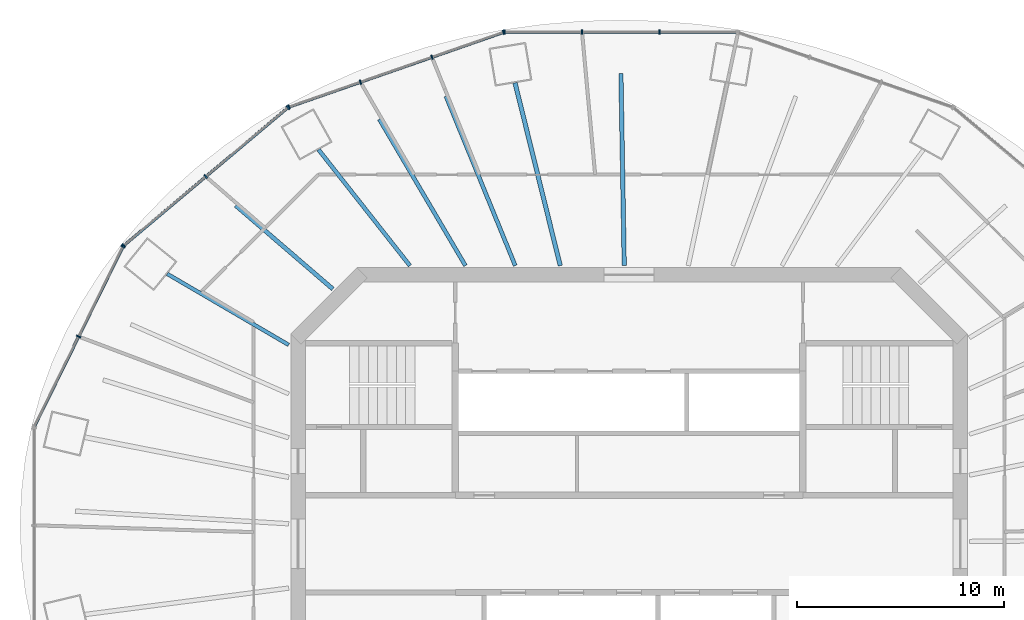
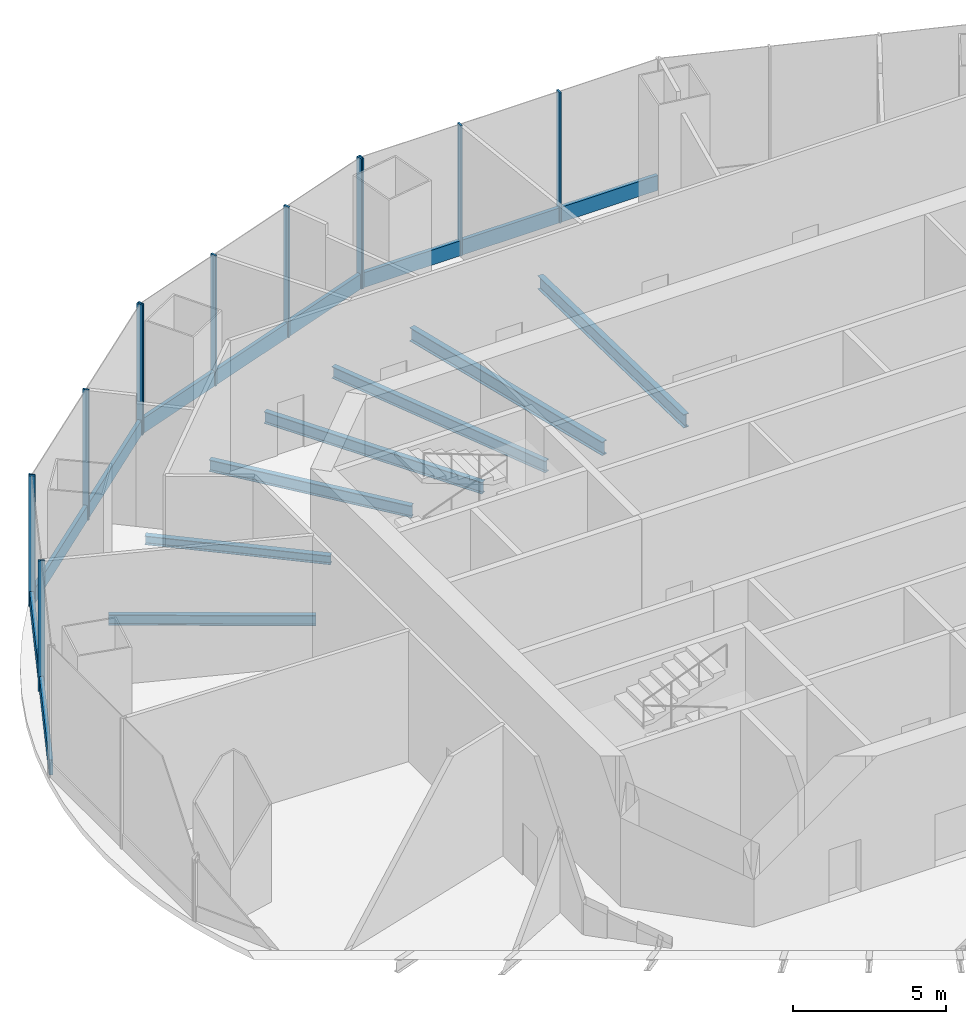
# One storey, part 5 of 12: 16 members, 7 beams, 4 elements without a shape of their own.
"""IFC4 building model written with IfcOpenShell, lengths in metres."""

import ifcopenshell
import ifcopenshell.guid

model = None  # the IFC model being written
_history = None  # IfcOwnerHistory: only IFC2X3 demands one
_inside = {}  # id of a spatial element -> (the spatial element, [elements in it])
_under = {}  # id of a project, library or spatial element -> (it, [spatial elements below it])
_declared = {}  # id of a project -> (the project, [libraries it declares])
_typed = {}  # id of a type object -> (the type object, [elements of that type])
_made_of = {}  # id of a material, layer set ... -> (it, [elements and type objects made of it])


def new_model(schema):
    """Start an empty IFC model of exactly this schema.

    Asked for "IFC4X3", IfcOpenShell would pick the latest addendum, in which some entities
    have other attributes; the version numbers below select the first issue.
    IFC2X3 requires an IfcOwnerHistory on every rooted entity: one is made here for all.
    """
    global model, _history
    if schema == "IFC4X3":
        model = ifcopenshell.file(schema_version=(4, 3, 0, 0))
    else:
        model = ifcopenshell.file(schema=schema)
    _inside.clear()
    _under.clear()
    _declared.clear()
    _typed.clear()
    _made_of.clear()
    _history = None
    if model.schema == "IFC2X3":
        org = make("IfcOrganization", Name="unknown")
        user = make(
            "IfcPersonAndOrganization",
            ThePerson=make("IfcPerson", FamilyName="unknown"),
            TheOrganization=org,
        )
        app = make(
            "IfcApplication",
            ApplicationDeveloper=org,
            Version="unknown",
            ApplicationFullName="unknown",
            ApplicationIdentifier="unknown",
        )
        _history = make(
            "IfcOwnerHistory",
            OwningUser=user,
            OwningApplication=app,
            ChangeAction="ADDED",
            CreationDate=0,
        )
    return model


def make(cls, **values):
    """One entity of the class cls with the attributes given. An attribute that is None is left unset."""
    return model.create_entity(
        cls, **{name: value for name, value in values.items() if value is not None}
    )


def rooted(cls, **values):
    """An entity with a GlobalId (a new one), such as an element, a storey or a relation."""
    return make(cls, GlobalId=ifcopenshell.guid.new(), OwnerHistory=_history, **values)


def si_unit(unit_type, name, prefix=None):
    """IfcSIUnit, for example si_unit("LENGTHUNIT", "METRE", prefix="MILLI")."""
    return make("IfcSIUnit", UnitType=unit_type, Prefix=prefix, Name=name)


def assignment(units):
    """IfcUnitAssignment: the units of a project."""
    return None if units is None else make("IfcUnitAssignment", Units=units)


def point(xyz):
    """IfcCartesianPoint."""
    return None if xyz is None else make("IfcCartesianPoint", Coordinates=xyz)


def direction(xyz):
    """IfcDirection."""
    return None if xyz is None else make("IfcDirection", DirectionRatios=xyz)


def frame(location, z_axis=None, x_axis=None):
    """IfcAxis2Placement3D, a coordinate frame: its origin and axes. An axis left out is left unset."""
    return make(
        "IfcAxis2Placement3D",
        Location=point(location),
        Axis=direction(z_axis),
        RefDirection=direction(x_axis),
    )


def frame_2d(location, x_axis=None):
    """IfcAxis2Placement2D, a coordinate frame in the plane: its origin and x axis."""
    return make(
        "IfcAxis2Placement2D", Location=point(location), RefDirection=direction(x_axis)
    )


def origin():
    """The frame at (0, 0, 0) with its axes left unset."""
    return frame((0.0, 0.0, 0.0))


def origin_2d():
    """The frame at (0, 0) in the plane with its x axis left unset."""
    return frame_2d((0.0, 0.0))


def place(relative_to, where):
    """IfcLocalPlacement: puts the frame where relative to a parent placement (None: the world)."""
    return make(
        "IfcLocalPlacement", PlacementRelTo=relative_to, RelativePlacement=where
    )


def context(
    kind, dimensions, precision=None, world=None, true_north=None, identifier=None
):
    """IfcGeometricRepresentationContext, for example the 3D "Model" context."""
    return make(
        "IfcGeometricRepresentationContext",
        ContextIdentifier=identifier,
        ContextType=kind,
        CoordinateSpaceDimension=dimensions,
        Precision=precision,
        WorldCoordinateSystem=world,
        TrueNorth=true_north,
    )


def subcontext(parent, identifier, kind, view, scale=None):
    """IfcGeometricRepresentationSubContext, for example "Body" below "Model"."""
    return make(
        "IfcGeometricRepresentationSubContext",
        ContextIdentifier=identifier,
        ContextType=kind,
        ParentContext=parent,
        TargetScale=scale,
        TargetView=view,
    )


def project(units=None, contexts=None):
    """IfcProject with its units and contexts."""
    return rooted(
        "IfcProject",
        Name="project",
        RepresentationContexts=contexts,
        UnitsInContext=assignment(units),
    )


def spatial(cls, under=None, at=None, **own):
    """A site, building, storey or space (cls), placed at a placement, below another one or the project."""
    s = rooted(cls, ObjectPlacement=at, **own)
    if under is not None:
        _under.setdefault(under.id(), (under, []))[1].append(s)
    return s


def profile(cls, at=None, kind="AREA", **sizes):
    """A parametric profile (cls). Its sizes go by their IFC names, for example OverallWidth=200.0."""
    return make(cls, ProfileType=kind, Position=at, **sizes)


def rectangle(**sizes):
    """IfcRectangleProfileDef."""
    return profile("IfcRectangleProfileDef", **sizes)


def i_section(**sizes):
    """IfcIShapeProfileDef."""
    return profile("IfcIShapeProfileDef", **sizes)


def extrude(swept, where, along, depth):
    """IfcExtrudedAreaSolid: the profile swept, set in the frame where, extruded along a direction by depth."""
    return make(
        "IfcExtrudedAreaSolid",
        SweptArea=swept,
        Position=where,
        ExtrudedDirection=direction(along),
        Depth=depth,
    )


def shape(context_of_items, identifier, shape_type, items):
    """IfcShapeRepresentation: the items that make up one representation, for example the "Body"."""
    return make(
        "IfcShapeRepresentation",
        ContextOfItems=context_of_items,
        RepresentationIdentifier=identifier,
        RepresentationType=shape_type,
        Items=items,
    )


def material(Name=None, Category=None):
    """IfcMaterial."""
    return make("IfcMaterial", Name=Name, Category=Category)


def material_profile(
    of_material, cross_section, Name=None, Category=None, Priority=None
):
    """IfcMaterialProfile: a cross section and its material."""
    return make(
        "IfcMaterialProfile",
        Name=Name,
        Material=of_material,
        Profile=cross_section,
        Priority=Priority,
        Category=Category,
    )


def profile_set(profiles, Name=None, composite=None):
    """IfcMaterialProfileSet."""
    return make(
        "IfcMaterialProfileSet",
        Name=Name,
        MaterialProfiles=profiles,
        CompositeProfile=composite,
    )


def made_of(thing, what):
    """Note that an element or type object is made of a material, layer set ...; save() writes the relation."""
    if what is not None:
        _made_of.setdefault(what.id(), (what, []))[1].append(thing)
    return thing


def type_object(cls, material=None, **own):
    """A type object (cls), such as IfcWallType, which elements share."""
    return made_of(rooted(cls, **own), material)


def element(
    cls,
    number,
    at=None,
    inside=None,
    cuts=None,
    type_object=None,
    material=None,
    context=None,
    identifier="Body",
    shape_type=None,
    held_by="IfcProductDefinitionShape",
    body=None,
    shapes=None,
    **own,
):
    """One element of the class cls, such as IfcWall. Its Tag is "e" and its number.

    at: its placement. inside: the storey or other place that contains it. cuts: it is an
    opening in that element (IfcRelVoidsElement). A single representation is given by context,
    identifier, shape_type and body (its items); several are given by shapes. held_by: the class
    of the entity that holds the representations. save() writes the other relations.
    """
    e = rooted(cls, Tag="e%d" % number, ObjectPlacement=at, **own)
    if body is not None:
        shapes = [shape(context, identifier, shape_type, body)]
    if shapes is not None:
        e.Representation = make(held_by, Representations=shapes)
    if inside is not None:
        _inside.setdefault(inside.id(), (inside, []))[1].append(e)
    if cuts is not None:
        rooted(
            "IfcRelVoidsElement", RelatingBuildingElement=cuts, RelatedOpeningElement=e
        )
    if type_object is not None:
        _typed.setdefault(type_object.id(), (type_object, []))[1].append(e)
    return made_of(e, material)


def aggregate(whole, parts):
    """IfcRelAggregates: a whole, such as a stair, and the parts it consists of."""
    return rooted("IfcRelAggregates", RelatingObject=whole, RelatedObjects=parts)


def save(model, path):
    """Write the relations noted so far, then the file.

    IfcRelAggregates (storeys below a building ...), IfcRelContainedInSpatialStructure (elements
    in a storey), IfcRelDefinesByType, IfcRelAssociatesMaterial and IfcRelDeclares: one each for
    every whole, place, type object, material and project.
    """
    for whole, parts in _under.values():
        aggregate(whole, parts)
    for where, things in _inside.values():
        rooted(
            "IfcRelContainedInSpatialStructure",
            RelatedElements=things,
            RelatingStructure=where,
        )
    for kind, things in _typed.values():
        rooted("IfcRelDefinesByType", RelatedObjects=things, RelatingType=kind)
    for what, things in _made_of.values():
        rooted("IfcRelAssociatesMaterial", RelatedObjects=things, RelatingMaterial=what)
    for by, libraries in _declared.values():
        rooted("IfcRelDeclares", RelatingContext=by, RelatedDefinitions=libraries)
    model.write(path)


model = new_model("IFC4")

# Units and contexts
model_context = context("Model", 3, precision=1e-05, world=origin(), true_north=direction((0.0, 1.0)))
body_context = subcontext(model_context, "Body", "Model", "MODEL_VIEW")
ifc_project = project(units=[si_unit("LENGTHUNIT", "METRE"), si_unit("AREAUNIT", "SQUARE_METRE"), si_unit("VOLUMEUNIT", "CUBIC_METRE"), si_unit("PLANEANGLEUNIT", "RADIAN"), si_unit("MASSUNIT", "GRAM", prefix="KILO")], contexts=[model_context])

# Site, building, storey
site_placement = place(None, origin())
site = spatial("IfcSite", under=ifc_project, at=site_placement, CompositionType="ELEMENT")
building_placement = place(site_placement, origin())
building = spatial("IfcBuilding", under=site, at=building_placement, Name="Marenthal Gate Tower", CompositionType="ELEMENT")
storey_placement = place(building_placement, frame((0.0, 0.0, 279.10009765625)))
storey = spatial("IfcBuildingStorey", under=building, at=storey_placement, Name="L62", CompositionType="ELEMENT", Elevation=279.10009765625)

# Curtain wall, members
ifc_material_1 = material(Name="Aluminium and glass", Category="aluminium")
curtain_wall_type = type_object("IfcCurtainWallType", Name="Curtain wall sky lobby", PredefinedType="NOTDEFINED", material=ifc_material_1)
curtain_wall_1_placement = place(storey_placement, origin())
curtain_wall_1 = element("IfcCurtainWall", 1, at=curtain_wall_1_placement, inside=storey, type_object=curtain_wall_type, Name="Curtain wall L62 bay 4", PredefinedType="NOTDEFINED")
ifc_material_2 = material(Name="Aluminium", Category="aluminium")
ifc_material_profile_1 = material_profile(ifc_material_2, rectangle(XDim=0.219970703125, YDim=0.070068359375, at=origin_2d()), Name="70x220 aluminium mullion")
ifc_profile_set_1 = profile_set([ifc_material_profile_1], Name="Aluminium")
member_type_1 = type_object("IfcMemberType", Name="Mullion 70x220 sky lobby", PredefinedType="MULLION", material=ifc_profile_set_1)
member_1_placement = place(storey_placement, frame((1.470458984375, 24.736083984375, 0.0), z_axis=(0.0, 0.0, 1.0), x_axis=(0.0, -1.0, 0.0)))
member_1 = element("IfcMember", 2, at=member_1_placement, type_object=member_type_1, Name="Mullion L62 bay 4.2", PredefinedType="MULLION", context=body_context, shape_type="SweptSolid", body=[
    extrude(rectangle(XDim=0.219970703125, YDim=0.070068359375, at=origin_2d()), origin(), (0.0, 0.0, 1.0), 5.219970703125),
])
member_2_placement = place(storey_placement, frame((-2.2705078125, 24.736083984375, 0.0), z_axis=(0.0, 0.0, 1.0), x_axis=(0.0, -1.0, 0.0)))
member_2 = element("IfcMember", 3, at=member_2_placement, type_object=member_type_1, Name="Mullion L62 bay 4.3", PredefinedType="MULLION", context=body_context, shape_type="SweptSolid", body=[
    extrude(rectangle(XDim=0.219970703125, YDim=0.070068359375, at=origin_2d()), origin(), (0.0, 0.0, 1.0), 5.219970703125),
])
member_3_placement = place(storey_placement, frame((-6.01171875, 24.736083984375, 0.0), z_axis=(0.0, 0.0, 1.0), x_axis=(0.0, -1.0, 0.0)))
member_3 = element("IfcMember", 4, at=member_3_placement, type_object=member_type_1, Name="Mullion L62 bay 4.4", PredefinedType="MULLION", context=body_context, shape_type="SweptSolid", body=[
    extrude(rectangle(XDim=0.219970703125, YDim=0.070068359375, at=origin_2d()), origin(), (0.0, 0.0, 1.0), 5.219970703125),
])

curtain_wall_2_placement = place(storey_placement, origin())
curtain_wall_2 = element("IfcCurtainWall", 5, at=curtain_wall_2_placement, inside=storey, type_object=curtain_wall_type, Name="Curtain wall L62 bay 5", PredefinedType="NOTDEFINED")
member_4_placement = place(storey_placement, frame((-6.06982421875, 24.72607421875, 0.0), z_axis=(0.0, 0.0, 1.0), x_axis=(0.328756746245, -0.944414634469, 0.0)))
member_4 = element("IfcMember", 6, at=member_4_placement, type_object=member_type_1, Name="Mullion L62 bay 5.1", PredefinedType="MULLION", context=body_context, shape_type="SweptSolid", body=[
    extrude(rectangle(XDim=0.219970703125, YDim=0.070068359375, at=origin_2d()), origin(), (0.0, 0.0, 1.0), 5.219970703125),
])
member_5_placement = place(storey_placement, frame((-9.52587890625, 23.523193359375, 0.0), z_axis=(0.0, 0.0, 1.0), x_axis=(0.328756746245, -0.944414634469, 0.0)))
member_5 = element("IfcMember", 7, at=member_5_placement, type_object=member_type_1, Name="Mullion L62 bay 5.2", PredefinedType="MULLION", context=body_context, shape_type="SweptSolid", body=[
    extrude(rectangle(XDim=0.219970703125, YDim=0.070068359375, at=origin_2d()), origin(), (0.0, 0.0, 1.0), 5.219970703125),
])
member_6_placement = place(storey_placement, frame((-12.981689453125, 22.320068359375, 0.0), z_axis=(0.0, 0.0, 1.0), x_axis=(0.328756746245, -0.944414634469, 0.0)))
member_6 = element("IfcMember", 8, at=member_6_placement, type_object=member_type_1, Name="Mullion L62 bay 5.3", PredefinedType="MULLION", context=body_context, shape_type="SweptSolid", body=[
    extrude(rectangle(XDim=0.219970703125, YDim=0.070068359375, at=origin_2d()), origin(), (0.0, 0.0, 1.0), 5.219970703125),
])
member_7_placement = place(storey_placement, frame((-16.4375, 21.1171875, 0.0), z_axis=(0.0, 0.0, 1.0), x_axis=(0.328756746245, -0.944414634469, 0.0)))
member_7 = element("IfcMember", 9, at=member_7_placement, type_object=member_type_1, Name="Mullion L62 bay 5.4", PredefinedType="MULLION", context=body_context, shape_type="SweptSolid", body=[
    extrude(rectangle(XDim=0.219970703125, YDim=0.070068359375, at=origin_2d()), origin(), (0.0, 0.0, 1.0), 5.219970703125),
])

curtain_wall_3_placement = place(storey_placement, origin())
curtain_wall_3 = element("IfcCurtainWall", 10, at=curtain_wall_3_placement, inside=storey, type_object=curtain_wall_type, Name="Curtain wall L62 bay 6", PredefinedType="NOTDEFINED")
member_8_placement = place(storey_placement, frame((-16.489013671875, 21.087890625, 0.0), z_axis=(0.0, 0.0, 1.0), x_axis=(0.643380191367, -0.76554681722, 0.0)))
member_8 = element("IfcMember", 11, at=member_8_placement, type_object=member_type_1, Name="Mullion L62 bay 6.1", PredefinedType="MULLION", context=body_context, shape_type="SweptSolid", body=[
    extrude(rectangle(XDim=0.219970703125, YDim=0.070068359375, at=origin_2d()), origin(), (0.0, 0.0, 1.0), 5.219970703125),
])
member_9_placement = place(storey_placement, frame((-20.455078125, 17.754638671875, 0.0), z_axis=(0.0, 0.0, 1.0), x_axis=(0.643380191367, -0.76554681722, 0.0)))
member_9 = element("IfcMember", 12, at=member_9_placement, type_object=member_type_1, Name="Mullion L62 bay 6.2", PredefinedType="MULLION", context=body_context, shape_type="SweptSolid", body=[
    extrude(rectangle(XDim=0.219970703125, YDim=0.070068359375, at=origin_2d()), origin(), (0.0, 0.0, 1.0), 5.219970703125),
])
member_10_placement = place(storey_placement, frame((-24.42138671875, 14.42138671875, 0.0), z_axis=(0.0, 0.0, 1.0), x_axis=(0.643380191367, -0.76554681722, 0.0)))
member_10 = element("IfcMember", 13, at=member_10_placement, type_object=member_type_1, Name="Mullion L62 bay 6.3", PredefinedType="MULLION", context=body_context, shape_type="SweptSolid", body=[
    extrude(rectangle(XDim=0.219970703125, YDim=0.070068359375, at=origin_2d()), origin(), (0.0, 0.0, 1.0), 5.219970703125),
])

curtain_wall_4_placement = place(storey_placement, origin())
curtain_wall_4 = element("IfcCurtainWall", 14, at=curtain_wall_4_placement, inside=storey, type_object=curtain_wall_type, Name="Curtain wall L62 bay 7", PredefinedType="NOTDEFINED")
member_11_placement = place(storey_placement, frame((-24.457763671875, 14.375, 0.0), z_axis=(0.0, 0.0, 1.0), x_axis=(0.89697015821, -0.442091093871, 0.0)))
member_11 = element("IfcMember", 15, at=member_11_placement, type_object=member_type_1, Name="Mullion L62 bay 7.1", PredefinedType="MULLION", context=body_context, shape_type="SweptSolid", body=[
    extrude(rectangle(XDim=0.219970703125, YDim=0.070068359375, at=origin_2d()), origin(), (0.0, 0.0, 1.0), 5.219970703125),
])
member_12_placement = place(storey_placement, frame((-26.603271484375, 10.021728515625, 0.0), z_axis=(0.0, 0.0, 1.0), x_axis=(0.89697015821, -0.442091093871, 0.0)))
member_12 = element("IfcMember", 16, at=member_12_placement, type_object=member_type_1, Name="Mullion L62 bay 7.2", PredefinedType="MULLION", context=body_context, shape_type="SweptSolid", body=[
    extrude(rectangle(XDim=0.219970703125, YDim=0.070068359375, at=origin_2d()), origin(), (0.0, 0.0, 1.0), 5.219970703125),
])

# Member
ifc_material_3 = material(Name="Aluminium", Category="aluminium")
ifc_material_profile_2 = material_profile(ifc_material_3, rectangle(XDim=0.139892578125, YDim=0.60009765625, at=origin_2d()), Name="140x600 aluminium transom")
ifc_profile_set_2 = profile_set([ifc_material_profile_2], Name="Aluminium")
member_type_2 = type_object("IfcMemberType", Name="Transom 140x600 sky lobby", PredefinedType="USERDEFINED", material=ifc_profile_set_2)
member_13_placement = place(storey_placement, frame((5.176513671875, 24.736083984375, 0.2998046875), z_axis=(-1.0, 0.0, 0.0), x_axis=(0.0, -1.0, 0.0)))
member_13 = element("IfcMember", 17, at=member_13_placement, type_object=member_type_2, Name="Transom L62 bay 4", ObjectType="TRANSOM", PredefinedType="USERDEFINED", context=body_context, shape_type="SweptSolid", body=[
    extrude(rectangle(XDim=0.139892578125, YDim=0.60009765625, at=origin_2d()), origin(), (0.0, 0.0, 1.0), 11.153076171875),
])

aggregate(curtain_wall_1, [member_1, member_2, member_3, member_13])

member_14_placement = place(storey_placement, frame((-6.10302734375, 24.714599609375, 0.2998046875), z_axis=(-0.944417053534, -0.32874979695, 0.0), x_axis=(0.32874979695, -0.944417053534, 0.0)))
member_14 = element("IfcMember", 18, at=member_14_placement, type_object=member_type_2, Name="Transom L62 bay 5", ObjectType="TRANSOM", PredefinedType="USERDEFINED", context=body_context, shape_type="SweptSolid", body=[
    extrude(rectangle(XDim=0.139892578125, YDim=0.60009765625, at=origin_2d()), origin(), (0.0, 0.0, 1.0), 10.90771484375),
])

aggregate(curtain_wall_2, [member_4, member_5, member_6, member_7, member_14])

member_15_placement = place(storey_placement, frame((-16.515869140625, 21.0654296875, 0.2998046875), z_axis=(-0.765537070273, -0.643391788911, 0.0), x_axis=(0.643391788911, -0.765537070273, 0.0)))
member_15 = element("IfcMember", 19, at=member_15_placement, type_object=member_type_2, Name="Transom L62 bay 6", ObjectType="TRANSOM", PredefinedType="USERDEFINED", context=body_context, shape_type="SweptSolid", body=[
    extrude(rectangle(XDim=0.139892578125, YDim=0.60009765625, at=origin_2d()), origin(), (0.0, 0.0, 1.0), 10.291748046875),
])

aggregate(curtain_wall_3, [member_8, member_9, member_10, member_15])

member_16_placement = place(storey_placement, frame((-24.47314453125, 14.34375, 0.2998046875), z_axis=(-0.442099023513, -0.896966249872, 0.0), x_axis=(0.896966249872, -0.442099023513, 0.0)))
member_16 = element("IfcMember", 20, at=member_16_placement, type_object=member_type_2, Name="Transom L62 bay 7", ObjectType="TRANSOM", PredefinedType="USERDEFINED", context=body_context, shape_type="SweptSolid", body=[
    extrude(rectangle(XDim=0.139892578125, YDim=0.60009765625, at=origin_2d()), origin(), (0.0, 0.0, 1.0), 9.636962890625),
])

aggregate(curtain_wall_4, [member_11, member_12, member_16])

# Beams
ifc_material_4 = material(Name="Steel S355", Category="steel")
ifc_material_profile_3 = material_profile(ifc_material_4, i_section(OverallWidth=0.205078125, OverallDepth=0.35302734375, WebThickness=0.009521484375, FlangeThickness=0.016845703125, FilletRadius=0.014892578125, at=origin_2d()), Name="W360X79")
ifc_profile_set_3 = profile_set([ifc_material_profile_3], Name="Steel S355")
beam_type_1 = type_object("IfcBeamType", Name="W360X79 beam", PredefinedType="BEAM", material=ifc_profile_set_3)
beam_1_placement = place(storey_placement, frame((-19.013671875, 16.361083984375, -0.426513671875), z_axis=(0.758003625255, -0.652250338521, 0.0), x_axis=(0.652250338521, 0.758003625255, 0.0)))
element("IfcBeam", 21, at=beam_1_placement, inside=storey, type_object=beam_type_1, Name="BM-L62-25", PredefinedType="BEAM", context=body_context, shape_type="SweptSolid", body=[
    extrude(i_section(OverallWidth=0.205078125, OverallDepth=0.35302734375, WebThickness=0.009521484375, FlangeThickness=0.016845703125, FilletRadius=0.014892578125, at=origin_2d()), origin(), (0.0, 0.0, 1.0), 6.1962890625),
])
ifc_material_5 = material(Name="Steel S355", Category="steel")
ifc_material_profile_4 = material_profile(ifc_material_5, i_section(OverallWidth=0.180908203125, OverallDepth=0.4169921875, WebThickness=0.010986328125, FlangeThickness=0.018310546875, FilletRadius=0.01025390625, at=origin_2d()), Name="W410X85")
ifc_profile_set_4 = profile_set([ifc_material_profile_4], Name="Steel S355")
beam_type_2 = type_object("IfcBeamType", Name="W410X85 beam", PredefinedType="BEAM", material=ifc_profile_set_4)
beam_2_placement = place(storey_placement, frame((-22.3232421875, 13.05224609375, -0.45849609375), z_axis=(0.863266966099, -0.504747605485, 0.0), x_axis=(0.504747605485, 0.863266966099, 0.0)))
element("IfcBeam", 22, at=beam_2_placement, inside=storey, type_object=beam_type_2, Name="BM-L62-07", PredefinedType="BEAM", context=body_context, shape_type="SweptSolid", body=[
    extrude(i_section(OverallWidth=0.180908203125, OverallDepth=0.4169921875, WebThickness=0.010986328125, FlangeThickness=0.018310546875, FilletRadius=0.01025390625, at=origin_2d()), origin(), (0.0, 0.0, 1.0), 6.803466796875),
])
ifc_material_6 = material(Name="Steel S355", Category="steel")
ifc_material_profile_5 = material_profile(ifc_material_6, i_section(OverallWidth=0.193115234375, OverallDepth=0.467041015625, WebThickness=0.011474609375, FlangeThickness=0.01904296875, FilletRadius=0.010009765625, at=origin_2d()), Name="W460X97")
ifc_profile_set_5 = profile_set([ifc_material_profile_5], Name="Steel S355")
beam_type_3 = type_object("IfcBeamType", Name="W460X97 beam", PredefinedType="BEAM", material=ifc_profile_set_5)
beam_3_placement = place(storey_placement, frame((-15.008544921875, 19.057373046875, -0.483642578125), z_axis=(0.618724487272, -0.785608050398, 0.0), x_axis=(0.785608050398, 0.618724487272, 0.0)))
element("IfcBeam", 23, at=beam_3_placement, inside=storey, type_object=beam_type_3, Name="BM-L62-06", PredefinedType="BEAM", context=body_context, shape_type="SweptSolid", body=[
    extrude(i_section(OverallWidth=0.193115234375, OverallDepth=0.467041015625, WebThickness=0.011474609375, FlangeThickness=0.01904296875, FilletRadius=0.010009765625, at=origin_2d()), origin(), (0.0, 0.0, 1.0), 7.1376953125),
])
beam_4_placement = place(storey_placement, frame((-8.84765625, 21.63818359375, -0.483642578125), z_axis=(0.378479170849, -0.925609808307, 0.0), x_axis=(0.925609808307, 0.378479170849, 0.0)))
element("IfcBeam", 24, at=beam_4_placement, inside=storey, type_object=beam_type_3, Name="BM-L62-23", PredefinedType="BEAM", context=body_context, shape_type="SweptSolid", body=[
    extrude(i_section(OverallWidth=0.193115234375, OverallDepth=0.467041015625, WebThickness=0.011474609375, FlangeThickness=0.01904296875, FilletRadius=0.010009765625, at=origin_2d()), origin(), (0.0, 0.0, 1.0), 8.84619140625),
])
beam_5_placement = place(storey_placement, frame((-12.070556640625, 20.528564453125, -0.483642578125), z_axis=(0.506859003167, -0.862028973358, 0.0), x_axis=(0.862028973358, 0.506859003167, 0.0)))
element("IfcBeam", 25, at=beam_5_placement, inside=storey, type_object=beam_type_3, Name="BM-L62-24", PredefinedType="BEAM", context=body_context, shape_type="SweptSolid", body=[
    extrude(i_section(OverallWidth=0.193115234375, OverallDepth=0.467041015625, WebThickness=0.011474609375, FlangeThickness=0.01904296875, FilletRadius=0.010009765625, at=origin_2d()), origin(), (0.0, 0.0, 1.0), 8.211669921875),
])
ifc_material_7 = material(Name="Steel S355", Category="steel")
ifc_material_profile_6 = material_profile(ifc_material_7, i_section(OverallWidth=0.2099609375, OverallDepth=0.535888671875, WebThickness=0.010986328125, FlangeThickness=0.017333984375, FilletRadius=0.0126953125, at=origin_2d()), Name="W530X101")
ifc_profile_set_6 = profile_set([ifc_material_profile_6], Name="Steel S355")
beam_type_4 = type_object("IfcBeamType", Name="W530X101 beam", PredefinedType="BEAM", material=ifc_profile_set_6)
beam_6_placement = place(storey_placement, frame((-0.39208984375, 22.736328125, -0.51806640625), z_axis=(0.017243801098, -0.999851314608, 0.0), x_axis=(0.999851314608, 0.017243801098, 0.0)))
element("IfcBeam", 26, at=beam_6_placement, inside=storey, type_object=beam_type_4, Name="BM-L62-22", PredefinedType="BEAM", context=body_context, shape_type="SweptSolid", body=[
    extrude(i_section(OverallWidth=0.2099609375, OverallDepth=0.535888671875, WebThickness=0.010986328125, FlangeThickness=0.017333984375, FilletRadius=0.0126953125, at=origin_2d()), origin(), (0.0, 0.0, 1.0), 9.287841796875),
])
ifc_material_8 = material(Name="Steel S355", Category="steel")
ifc_material_profile_7 = material_profile(ifc_material_8, i_section(OverallWidth=0.2119140625, OverallDepth=0.5439453125, WebThickness=0.01318359375, FlangeThickness=0.021240234375, FilletRadius=0.0126953125, at=origin_2d()), Name="W530X123")
ifc_profile_set_7 = profile_set([ifc_material_profile_7], Name="Steel S355")
beam_type_5 = type_object("IfcBeamType", Name="W530X123 beam", PredefinedType="BEAM", material=ifc_profile_set_7)
beam_7_placement = place(storey_placement, frame((-5.5107421875, 22.28564453125, -0.522216796875), z_axis=(0.24006711143, -0.970756293829, 0.0), x_axis=(0.970756293829, 0.24006711143, 0.0)))
element("IfcBeam", 27, at=beam_7_placement, inside=storey, type_object=beam_type_5, Name="BM-L62-05", PredefinedType="BEAM", context=body_context, shape_type="SweptSolid", body=[
    extrude(i_section(OverallWidth=0.2119140625, OverallDepth=0.5439453125, WebThickness=0.01318359375, FlangeThickness=0.021240234375, FilletRadius=0.0126953125, at=origin_2d()), origin(), (0.0, 0.0, 1.0), 9.101806640625),
])

save(model, "model.ifc")
